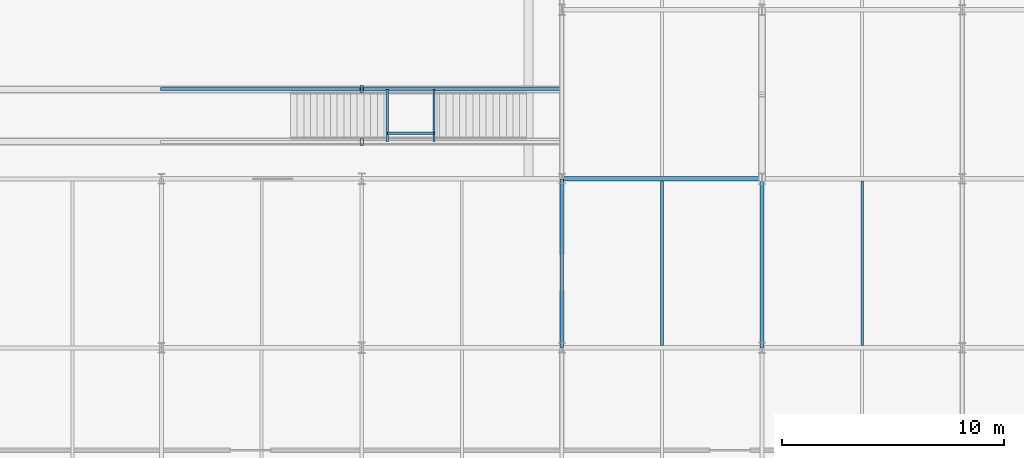
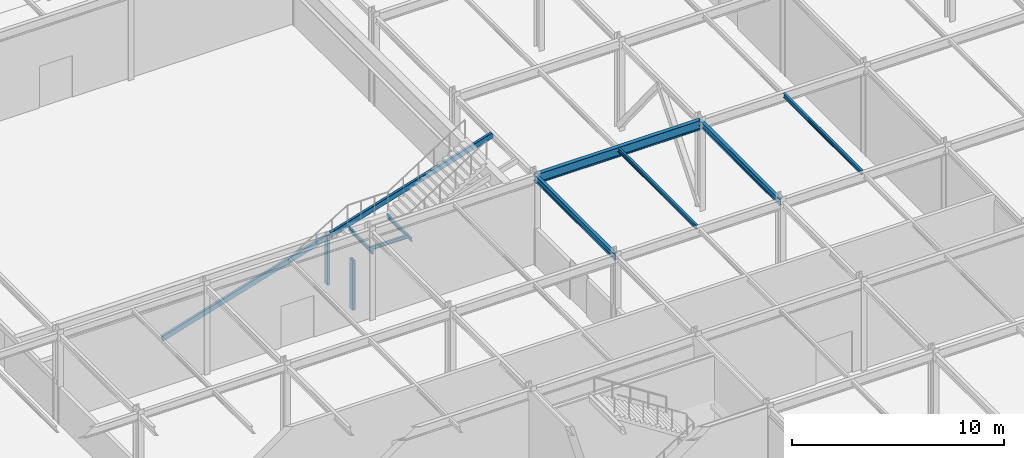
# One storey, part 46 of 89: 8 beams, 3 members.
"""IFC4 building model written with IfcOpenShell, lengths in metres."""

from ifc_helpers import new_model, si_unit, direction, frame, origin, origin_2d, place, context, subcontext, project, spatial, hollow_rectangle, i_section, extrude, material, material_profile, profile_set, type_object, element, save


model = new_model("IFC4")

# Units and contexts
model_context = context("Model", 3, precision=1e-05, world=origin(), true_north=direction((0.0, 1.0)))
body_context = subcontext(model_context, "Body", "Model", "MODEL_VIEW")
ifc_project = project(units=[si_unit("LENGTHUNIT", "METRE"), si_unit("AREAUNIT", "SQUARE_METRE"), si_unit("VOLUMEUNIT", "CUBIC_METRE"), si_unit("PLANEANGLEUNIT", "RADIAN"), si_unit("MASSUNIT", "GRAM", prefix="KILO")], contexts=[model_context])

# Site, building, storey
site_placement = place(None, origin())
site = spatial("IfcSite", under=ifc_project, at=site_placement, CompositionType="ELEMENT")
building_placement = place(site_placement, origin())
building = spatial("IfcBuilding", under=site, at=building_placement, Name="Shalkamar Park Central Library", CompositionType="ELEMENT")
storey_placement = place(building_placement, origin())
storey = spatial("IfcBuildingStorey", under=building, at=storey_placement, Name="L01", CompositionType="ELEMENT", Elevation=0.0)

# Beams
ifc_material = material(Name="Steel S355", Category="steel")
ifc_material_profile_1 = material_profile(ifc_material, i_section(OverallWidth=0.10009765625, OverallDepth=0.199951171875, WebThickness=0.005615234375, FlangeThickness=0.008544921875, FilletRadius=0.011962890625, at=origin_2d()), Name="IPE 200")
ifc_profile_set_1 = profile_set([ifc_material_profile_1], Name="Steel S355")
beam_type_1 = type_object("IfcBeamType", Name="Composite Floor Joist IPE200", PredefinedType="JOIST", material=ifc_profile_set_1)
for number, where, z_axis, x_axis, name in (
    (1, (247.14990234375, 272.080078125, 2.320068359375), (0.0, 1.0, 0.0), (-1.0, 0.0, 0.0), "Atrium Stair ST-A1 Landing Beam 1"),
    (2, (249.25, 272.080078125, 2.320068359375), (0.0, 1.0, 0.0), (-1.0, 0.0, 0.0), "Atrium Stair ST-A1 Landing Beam 2"),
):
    element("IfcBeam", number, at=place(storey_placement, frame(where, z_axis=z_axis, x_axis=x_axis)), inside=storey, type_object=beam_type_1, Name=name, PredefinedType="JOIST", context=body_context, shape_type="SweptSolid", body=[
        extrude(i_section(OverallWidth=0.10009765625, OverallDepth=0.199951171875, WebThickness=0.005615234375, FlangeThickness=0.008544921875, FilletRadius=0.011962890625, at=origin_2d()), origin(), (0.0, 0.0, 1.0), 2.33984375),
    ])
beam_1_placement = place(storey_placement, frame((247.14990234375, 272.449951171875, 2.320068359375), z_axis=(1.0, 0.0, 0.0), x_axis=(0.0, 1.0, 0.0)))
element("IfcBeam", 3, at=beam_1_placement, inside=storey, type_object=beam_type_1, Name="Atrium Stair ST-A1 Landing Cross Beam 3", PredefinedType="JOIST", context=body_context, shape_type="SweptSolid", body=[
    extrude(i_section(OverallWidth=0.10009765625, OverallDepth=0.199951171875, WebThickness=0.005615234375, FlangeThickness=0.008544921875, FilletRadius=0.011962890625, at=origin_2d()), origin(), (0.0, 0.0, 1.0), 2.10009765625),
])
ifc_material_profile_2 = material_profile(ifc_material, i_section(OverallWidth=0.1201171875, OverallDepth=0.239990234375, WebThickness=0.006103515625, FlangeThickness=0.009765625, FilletRadius=0.014892578125, at=origin_2d()), Name="IPE 240")
ifc_profile_set_2 = profile_set([ifc_material_profile_2], Name="Steel S355")
beam_type_2 = type_object("IfcBeamType", Name="Composite Floor Joist IPE240", PredefinedType="JOIST", material=ifc_profile_set_2)
for number, where, z_axis, x_axis, name in (
    (4, (259.5, 262.903076171875, 5.02001953125), (0.0, 1.0, 0.0), (-1.0, 0.0, 0.0), "Composite Joist 18/D-1 (L01)"),
    (5, (268.5, 262.903076171875, 5.02001953125), (0.0, 1.0, 0.0), (-1.0, 0.0, 0.0), "Composite Joist 19/D-1 (L01)"),
):
    element("IfcBeam", number, at=place(storey_placement, frame(where, z_axis=z_axis, x_axis=x_axis)), inside=storey, type_object=beam_type_2, Name=name, PredefinedType="JOIST", context=body_context, shape_type="SweptSolid", body=[
        extrude(i_section(OverallWidth=0.1201171875, OverallDepth=0.239990234375, WebThickness=0.006103515625, FlangeThickness=0.009765625, FilletRadius=0.014892578125, at=origin_2d()), origin(), (0.0, 0.0, 1.0), 7.39404296875),
    ])
ifc_material_profile_3 = material_profile(ifc_material, i_section(OverallWidth=0.169921875, OverallDepth=0.360107421875, WebThickness=0.008056640625, FlangeThickness=0.0126953125, FilletRadius=0.01806640625, at=origin_2d()), Name="IPE 360")
ifc_profile_set_3 = profile_set([ifc_material_profile_3], Name="Steel S355")
beam_type_3 = type_object("IfcBeamType", Name="Primary Girder IPE360", PredefinedType="BEAM", material=ifc_profile_set_3)
for number, where, z_axis, x_axis, name in (
    (6, (255.0, 262.800048828125, 4.9599609375), (0.0, 1.0, 0.0), (-1.0, 0.0, 0.0), "Beam 18:D-E (L01)"),
    (7, (264.0, 262.800048828125, 4.9599609375), (0.0, 1.0, 0.0), (-1.0, 0.0, 0.0), "Beam 19:D-E (L01)"),
):
    element("IfcBeam", number, at=place(storey_placement, frame(where, z_axis=z_axis, x_axis=x_axis)), inside=storey, type_object=beam_type_3, Name=name, PredefinedType="BEAM", context=body_context, shape_type="SweptSolid", body=[
        extrude(i_section(OverallWidth=0.169921875, OverallDepth=0.360107421875, WebThickness=0.008056640625, FlangeThickness=0.0126953125, FilletRadius=0.01806640625, at=origin_2d()), origin(), (0.0, 0.0, 1.0), 7.599853515625),
    ])
ifc_material_profile_4 = material_profile(ifc_material, i_section(OverallWidth=0.2099609375, OverallDepth=0.550048828125, WebThickness=0.010986328125, FlangeThickness=0.01708984375, FilletRadius=0.02392578125, at=origin_2d()), Name="IPE 550")
ifc_profile_set_4 = profile_set([ifc_material_profile_4], Name="Steel S355")
beam_type_4 = type_object("IfcBeamType", Name="Primary Girder IPE550", PredefinedType="BEAM", material=ifc_profile_set_4)
beam_2_placement = place(storey_placement, frame((255.0, 270.39990234375, 4.864990234375), z_axis=(1.0, 0.0, 0.0), x_axis=(0.0, 1.0, 0.0)))
element("IfcBeam", 8, at=beam_2_placement, inside=storey, type_object=beam_type_4, Name="Beam E:18-19 (L01)", PredefinedType="BEAM", context=body_context, shape_type="SweptSolid", body=[
    extrude(i_section(OverallWidth=0.2099609375, OverallDepth=0.550048828125, WebThickness=0.010986328125, FlangeThickness=0.01708984375, FilletRadius=0.02392578125, at=origin_2d()), origin(), (0.0, 0.0, 1.0), 9.0),
])

# Members
ifc_material_profile_5 = material_profile(ifc_material, hollow_rectangle(XDim=0.14990234375, YDim=0.300048828125, WallThickness=0.011962890625, InnerFilletRadius=0.011962890625, OuterFilletRadius=0.01806640625, at=origin_2d()), Name="RHS 300x150x12")
ifc_profile_set_5 = profile_set([ifc_material_profile_5], Name="Steel S355")
member_type = type_object("IfcMemberType", Name="Stair Stringer RHS300", PredefinedType="STRINGER", material=ifc_profile_set_5)
member_1_placement = place(storey_placement, frame((246.0, 272.06005859375, -0.5), z_axis=(0.0, 0.0, 1.0), x_axis=(1.0, 0.0, 0.0)))
element("IfcMember", 9, at=member_1_placement, inside=storey, type_object=member_type, Name="Monumental Stair ST-A1 Mid Support S", PredefinedType="STRINGER", context=body_context, shape_type="SweptSolid", body=[
    extrude(hollow_rectangle(XDim=0.14990234375, YDim=0.300048828125, WallThickness=0.011962890625, InnerFilletRadius=0.011962890625, OuterFilletRadius=0.01806640625, at=origin_2d()), origin(), (0.0, 0.0, 1.0), 2.8701171875),
])
member_2_placement = place(storey_placement, frame((237.0, 274.43994140625, -0.5), z_axis=(0.957092178493, 0.0, 0.289783646654), x_axis=(0.0, 1.0, 0.0)))
element("IfcMember", 10, at=member_2_placement, inside=storey, type_object=member_type, Name="Monumental Stair ST-A1 Main Stringer N", PredefinedType="STRINGER", context=body_context, shape_type="SweptSolid", body=[
    extrude(hollow_rectangle(XDim=0.14990234375, YDim=0.300048828125, WallThickness=0.011962890625, InnerFilletRadius=0.011962890625, OuterFilletRadius=0.01806640625, at=origin_2d()), origin(), (0.0, 0.0, 1.0), 18.806884765625),
])
member_3_placement = place(storey_placement, frame((246.0, 274.43994140625, -0.5), z_axis=(0.0, 0.0, 1.0), x_axis=(1.0, 0.0, 0.0)))
element("IfcMember", 11, at=member_3_placement, inside=storey, type_object=member_type, Name="Monumental Stair ST-A1 Mid Support N", PredefinedType="STRINGER", context=body_context, shape_type="SweptSolid", body=[
    extrude(hollow_rectangle(XDim=0.14990234375, YDim=0.300048828125, WallThickness=0.011962890625, InnerFilletRadius=0.011962890625, OuterFilletRadius=0.01806640625, at=origin_2d()), origin(), (0.0, 0.0, 1.0), 2.8701171875),
])

save(model, "model.ifc")
